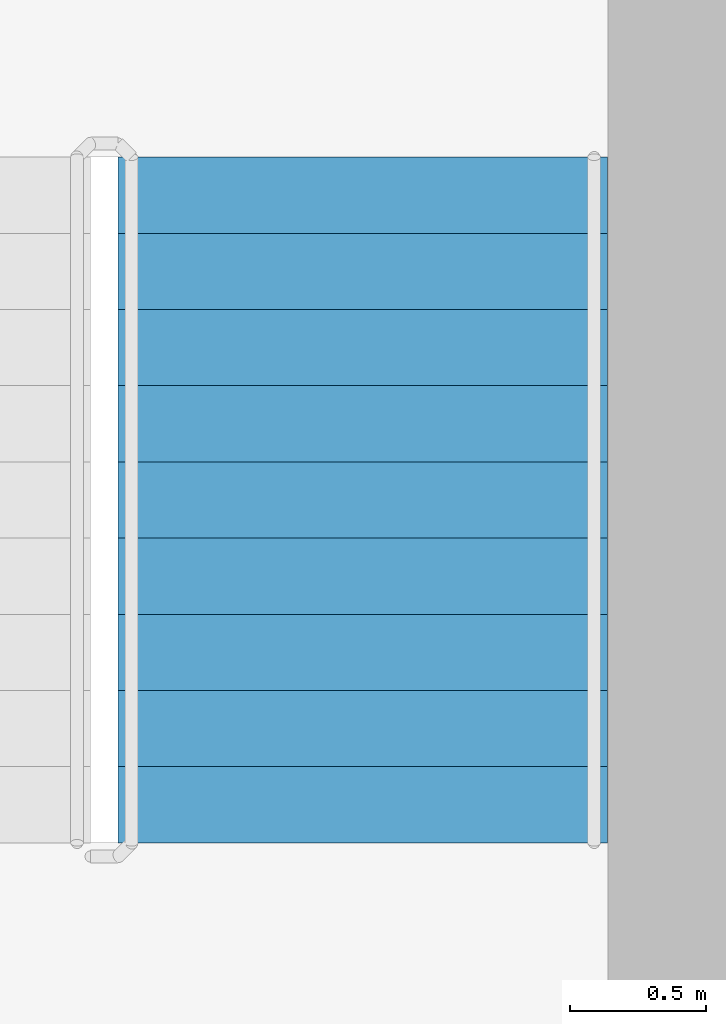
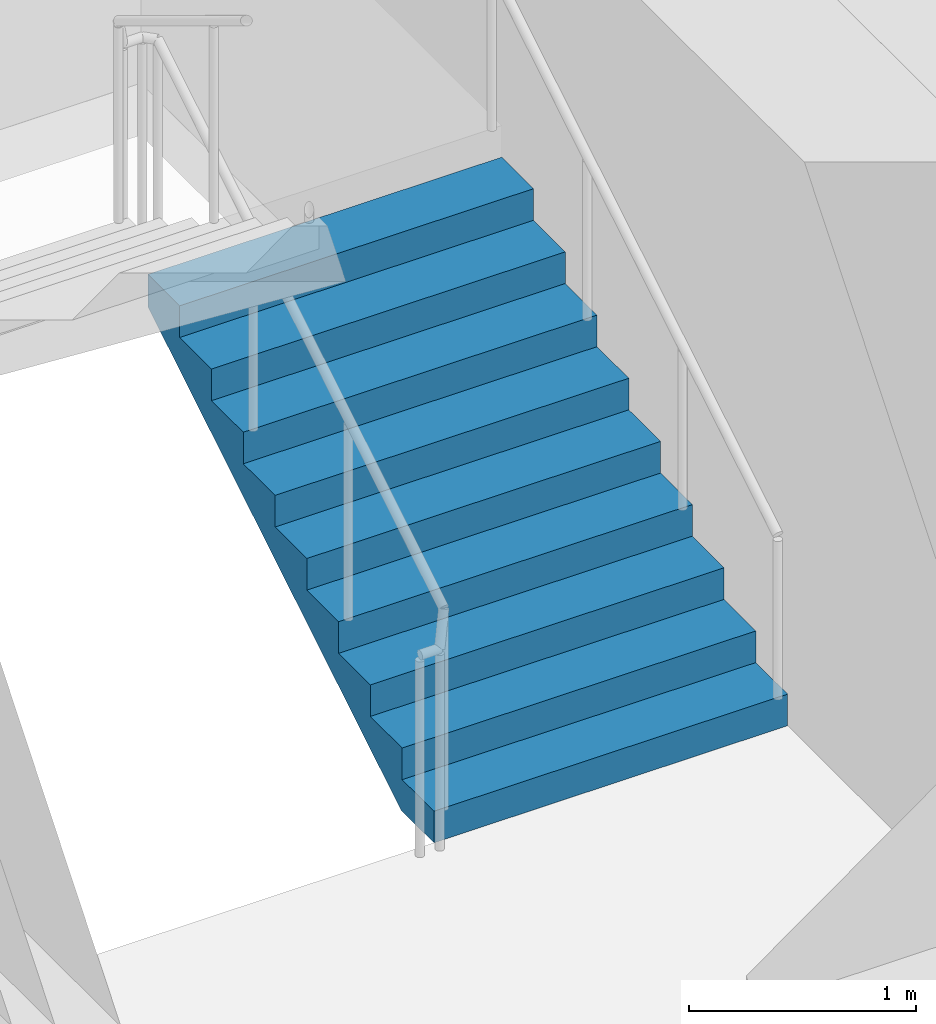
# One storey, part 11 of 18: 1 stair flight, 1 element without a shape of its own.
"""IFC4 building model written with IfcOpenShell, lengths in metres."""

from ifc_helpers import new_model, si_unit, direction, frame, origin, place, context, subcontext, project, spatial, triangles, source, transform, mapped, material, type_object, element, aggregate, save


model = new_model("IFC4")

# Units and contexts
model_context = context("Model", 3, precision=1e-05, world=origin(), true_north=direction((0.0, 1.0)))
body_context = subcontext(model_context, "Body", "Model", "MODEL_VIEW")
ifc_project = project(units=[si_unit("LENGTHUNIT", "METRE"), si_unit("AREAUNIT", "SQUARE_METRE"), si_unit("VOLUMEUNIT", "CUBIC_METRE"), si_unit("PLANEANGLEUNIT", "RADIAN"), si_unit("MASSUNIT", "GRAM", prefix="KILO")], contexts=[model_context])

# Site, building, storey
site_placement = place(None, origin())
site = spatial("IfcSite", under=ifc_project, at=site_placement, CompositionType="ELEMENT")
building_placement = place(site_placement, origin())
building = spatial("IfcBuilding", under=site, at=building_placement, Name="Kilnfold Tower and Market Hall", CompositionType="ELEMENT")
storey_placement = place(building_placement, frame((0.0, 0.0, 256.0)))
storey = spatial("IfcBuildingStorey", under=building, at=storey_placement, Name="L62", CompositionType="ELEMENT", Elevation=256.0)

# Stair, stair flight
ifc_material_1 = material(Name="Concrete C40/50", Category="concrete")
stair_type = type_object("IfcStairType", Name="CORE STAIR 1800", PredefinedType="HALF_TURN_STAIR", material=ifc_material_1)
stair_placement = place(storey_placement, origin())
stair = element("IfcStair", 1, at=stair_placement, inside=storey, type_object=stair_type, Name="L62 ST2", PredefinedType="HALF_TURN_STAIR")
ifc_material_2 = material(Name="Concrete C40/50", Category="concrete")
stair_flight_type = type_object("IfcStairFlightType", Name="CORE STAIR FLIGHT 1800", PredefinedType="STRAIGHT", material=ifc_material_2)
shared_shape = source(origin(), body_context, "Body", "Tessellation", [
    triangles([(0.0, 0.89990234375, 0.0), (0.0, 0.78759765625, 0.0), (0.0, 0.675048828125, 0.0), (0.0, 0.5625, 0.0), (0.0, 0.449951171875, 0.0), (0.0, 0.33740234375, 0.0), (0.0, 0.22509765625, 0.0), (0.0, 0.112548828125, 0.0), (0.0, 0.0, 0.0), (0.0, -0.112548828125, 0.0), (0.0, -0.22509765625, 0.0), (0.0, -0.33740234375, 0.0), (0.0, -0.449951171875, 0.0), (0.0, -0.5625, 0.0), (0.0, -0.675048828125, 0.0), (0.0, -0.78759765625, 0.0), (0.0, -0.89990234375, 0.0), (0.0, 0.89990234375, 0.169921875), (0.0, 0.78759765625, 0.169921875), (0.0, 0.675048828125, 0.169921875), (0.0, 0.5625, 0.169921875), (0.0, 0.449951171875, 0.169921875), (0.0, 0.33740234375, 0.169921875), (0.0, 0.22509765625, 0.169921875), (0.0, 0.112548828125, 0.169921875), (0.0, 0.0, 0.169921875), (0.0, -0.112548828125, 0.169921875), (0.0, -0.22509765625, 0.169921875), (0.0, -0.33740234375, 0.169921875), (0.0, -0.449951171875, 0.169921875), (0.0, -0.5625, 0.169921875), (0.0, -0.675048828125, 0.169921875), (0.0, -0.78759765625, 0.169921875), (0.0, -0.89990234375, 0.169921875), (0.280029296875, 0.89990234375, 0.169921875), (0.280029296875, 0.78759765625, 0.169921875), (0.280029296875, 0.675048828125, 0.169921875), (0.280029296875, 0.5625, 0.169921875), (0.280029296875, 0.449951171875, 0.169921875), (0.280029296875, 0.33740234375, 0.169921875), (0.280029296875, 0.22509765625, 0.169921875), (0.280029296875, 0.112548828125, 0.169921875), (0.280029296875, 0.0, 0.169921875), (0.280029296875, -0.112548828125, 0.169921875), (0.280029296875, -0.22509765625, 0.169921875), (0.280029296875, -0.33740234375, 0.169921875), (0.280029296875, -0.449951171875, 0.169921875), (0.280029296875, -0.5625, 0.169921875), (0.280029296875, -0.675048828125, 0.169921875), (0.280029296875, -0.78759765625, 0.169921875), (0.280029296875, -0.89990234375, 0.169921875), (0.280029296875, 0.89990234375, 0.340087890625), (0.280029296875, 0.78759765625, 0.340087890625), (0.280029296875, 0.675048828125, 0.340087890625), (0.280029296875, 0.5625, 0.340087890625), (0.280029296875, 0.449951171875, 0.340087890625), (0.280029296875, 0.33740234375, 0.340087890625), (0.280029296875, 0.22509765625, 0.340087890625), (0.280029296875, 0.112548828125, 0.340087890625), (0.280029296875, 0.0, 0.340087890625), (0.280029296875, -0.112548828125, 0.340087890625), (0.280029296875, -0.22509765625, 0.340087890625), (0.280029296875, -0.33740234375, 0.340087890625), (0.280029296875, -0.449951171875, 0.340087890625), (0.280029296875, -0.5625, 0.340087890625), (0.280029296875, -0.675048828125, 0.340087890625), (0.280029296875, -0.78759765625, 0.340087890625), (0.280029296875, -0.89990234375, 0.340087890625), (0.56005859375, 0.89990234375, 0.340087890625), (0.56005859375, 0.78759765625, 0.340087890625), (0.56005859375, 0.675048828125, 0.340087890625), (0.56005859375, 0.5625, 0.340087890625), (0.56005859375, 0.449951171875, 0.340087890625), (0.56005859375, 0.33740234375, 0.340087890625), (0.56005859375, 0.22509765625, 0.340087890625), (0.56005859375, 0.112548828125, 0.340087890625), (0.56005859375, 0.0, 0.340087890625), (0.56005859375, -0.112548828125, 0.340087890625), (0.56005859375, -0.22509765625, 0.340087890625), (0.56005859375, -0.33740234375, 0.340087890625), (0.56005859375, -0.449951171875, 0.340087890625), (0.56005859375, -0.5625, 0.340087890625), (0.56005859375, -0.675048828125, 0.340087890625), (0.56005859375, -0.78759765625, 0.340087890625), (0.56005859375, -0.89990234375, 0.340087890625), (0.56005859375, 0.89990234375, 0.510009765625), (0.56005859375, 0.78759765625, 0.510009765625), (0.56005859375, 0.675048828125, 0.510009765625), (0.56005859375, 0.5625, 0.510009765625), (0.56005859375, 0.449951171875, 0.510009765625), (0.56005859375, 0.33740234375, 0.510009765625), (0.56005859375, 0.22509765625, 0.510009765625), (0.56005859375, 0.112548828125, 0.510009765625), (0.56005859375, 0.0, 0.510009765625), (0.56005859375, -0.112548828125, 0.510009765625), (0.56005859375, -0.22509765625, 0.510009765625), (0.56005859375, -0.33740234375, 0.510009765625), (0.56005859375, -0.449951171875, 0.510009765625), (0.56005859375, -0.5625, 0.510009765625), (0.56005859375, -0.675048828125, 0.510009765625), (0.56005859375, -0.78759765625, 0.510009765625), (0.56005859375, -0.89990234375, 0.510009765625), (0.840087890625, 0.89990234375, 0.510009765625), (0.840087890625, 0.78759765625, 0.510009765625), (0.840087890625, 0.675048828125, 0.510009765625), (0.840087890625, 0.5625, 0.510009765625), (0.840087890625, 0.449951171875, 0.510009765625), (0.840087890625, 0.33740234375, 0.510009765625), (0.840087890625, 0.22509765625, 0.510009765625), (0.840087890625, 0.112548828125, 0.510009765625), (0.840087890625, 0.0, 0.510009765625), (0.840087890625, -0.112548828125, 0.510009765625), (0.840087890625, -0.22509765625, 0.510009765625), (0.840087890625, -0.33740234375, 0.510009765625), (0.840087890625, -0.449951171875, 0.510009765625), (0.840087890625, -0.5625, 0.510009765625), (0.840087890625, -0.675048828125, 0.510009765625), (0.840087890625, -0.78759765625, 0.510009765625), (0.840087890625, -0.89990234375, 0.510009765625), (0.840087890625, 0.89990234375, 0.679931640625), (0.840087890625, 0.78759765625, 0.679931640625), (0.840087890625, 0.675048828125, 0.679931640625), (0.840087890625, 0.5625, 0.679931640625), (0.840087890625, 0.449951171875, 0.679931640625), (0.840087890625, 0.33740234375, 0.679931640625), (0.840087890625, 0.22509765625, 0.679931640625), (0.840087890625, 0.112548828125, 0.679931640625), (0.840087890625, 0.0, 0.679931640625), (0.840087890625, -0.112548828125, 0.679931640625), (0.840087890625, -0.22509765625, 0.679931640625), (0.840087890625, -0.33740234375, 0.679931640625), (0.840087890625, -0.449951171875, 0.679931640625), (0.840087890625, -0.5625, 0.679931640625), (0.840087890625, -0.675048828125, 0.679931640625), (0.840087890625, -0.78759765625, 0.679931640625), (0.840087890625, -0.89990234375, 0.679931640625), (1.1201171875, 0.89990234375, 0.679931640625), (1.1201171875, 0.78759765625, 0.679931640625), (1.1201171875, 0.675048828125, 0.679931640625), (1.1201171875, 0.5625, 0.679931640625), (1.1201171875, 0.449951171875, 0.679931640625), (1.1201171875, 0.33740234375, 0.679931640625), (1.1201171875, 0.22509765625, 0.679931640625), (1.1201171875, 0.112548828125, 0.679931640625), (1.1201171875, 0.0, 0.679931640625), (1.1201171875, -0.112548828125, 0.679931640625), (1.1201171875, -0.22509765625, 0.679931640625), (1.1201171875, -0.33740234375, 0.679931640625), (1.1201171875, -0.449951171875, 0.679931640625), (1.1201171875, -0.5625, 0.679931640625), (1.1201171875, -0.675048828125, 0.679931640625), (1.1201171875, -0.78759765625, 0.679931640625), (1.1201171875, -0.89990234375, 0.679931640625), (1.1201171875, 0.89990234375, 0.85009765625), (1.1201171875, 0.78759765625, 0.85009765625), (1.1201171875, 0.675048828125, 0.85009765625), (1.1201171875, 0.5625, 0.85009765625), (1.1201171875, 0.449951171875, 0.85009765625), (1.1201171875, 0.33740234375, 0.85009765625), (1.1201171875, 0.22509765625, 0.85009765625), (1.1201171875, 0.112548828125, 0.85009765625), (1.1201171875, 0.0, 0.85009765625), (1.1201171875, -0.112548828125, 0.85009765625), (1.1201171875, -0.22509765625, 0.85009765625), (1.1201171875, -0.33740234375, 0.85009765625), (1.1201171875, -0.449951171875, 0.85009765625), (1.1201171875, -0.5625, 0.85009765625), (1.1201171875, -0.675048828125, 0.85009765625), (1.1201171875, -0.78759765625, 0.85009765625), (1.1201171875, -0.89990234375, 0.85009765625), (1.39990234375, 0.89990234375, 0.85009765625), (1.39990234375, 0.78759765625, 0.85009765625), (1.39990234375, 0.675048828125, 0.85009765625), (1.39990234375, 0.5625, 0.85009765625), (1.39990234375, 0.449951171875, 0.85009765625), (1.39990234375, 0.33740234375, 0.85009765625), (1.39990234375, 0.22509765625, 0.85009765625), (1.39990234375, 0.112548828125, 0.85009765625), (1.39990234375, 0.0, 0.85009765625), (1.39990234375, -0.112548828125, 0.85009765625), (1.39990234375, -0.22509765625, 0.85009765625), (1.39990234375, -0.33740234375, 0.85009765625), (1.39990234375, -0.449951171875, 0.85009765625), (1.39990234375, -0.5625, 0.85009765625), (1.39990234375, -0.675048828125, 0.85009765625), (1.39990234375, -0.78759765625, 0.85009765625), (1.39990234375, -0.89990234375, 0.85009765625), (1.39990234375, 0.89990234375, 1.02001953125), (1.39990234375, 0.78759765625, 1.02001953125), (1.39990234375, 0.675048828125, 1.02001953125), (1.39990234375, 0.5625, 1.02001953125), (1.39990234375, 0.449951171875, 1.02001953125), (1.39990234375, 0.33740234375, 1.02001953125), (1.39990234375, 0.22509765625, 1.02001953125), (1.39990234375, 0.112548828125, 1.02001953125), (1.39990234375, 0.0, 1.02001953125), (1.39990234375, -0.112548828125, 1.02001953125), (1.39990234375, -0.22509765625, 1.02001953125), (1.39990234375, -0.33740234375, 1.02001953125), (1.39990234375, -0.449951171875, 1.02001953125), (1.39990234375, -0.5625, 1.02001953125), (1.39990234375, -0.675048828125, 1.02001953125), (1.39990234375, -0.78759765625, 1.02001953125), (1.39990234375, -0.89990234375, 1.02001953125), (1.679931640625, 0.89990234375, 1.02001953125), (1.679931640625, 0.78759765625, 1.02001953125), (1.679931640625, 0.675048828125, 1.02001953125), (1.679931640625, 0.5625, 1.02001953125), (1.679931640625, 0.449951171875, 1.02001953125), (1.679931640625, 0.33740234375, 1.02001953125), (1.679931640625, 0.22509765625, 1.02001953125), (1.679931640625, 0.112548828125, 1.02001953125), (1.679931640625, 0.0, 1.02001953125), (1.679931640625, -0.112548828125, 1.02001953125), (1.679931640625, -0.22509765625, 1.02001953125), (1.679931640625, -0.33740234375, 1.02001953125), (1.679931640625, -0.449951171875, 1.02001953125), (1.679931640625, -0.5625, 1.02001953125), (1.679931640625, -0.675048828125, 1.02001953125), (1.679931640625, -0.78759765625, 1.02001953125), (1.679931640625, -0.89990234375, 1.02001953125), (1.679931640625, 0.89990234375, 1.18994140625), (1.679931640625, 0.78759765625, 1.18994140625), (1.679931640625, 0.675048828125, 1.18994140625), (1.679931640625, 0.5625, 1.18994140625), (1.679931640625, 0.449951171875, 1.18994140625), (1.679931640625, 0.33740234375, 1.18994140625), (1.679931640625, 0.22509765625, 1.18994140625), (1.679931640625, 0.112548828125, 1.18994140625), (1.679931640625, 0.0, 1.18994140625), (1.679931640625, -0.112548828125, 1.18994140625), (1.679931640625, -0.22509765625, 1.18994140625), (1.679931640625, -0.33740234375, 1.18994140625), (1.679931640625, -0.449951171875, 1.18994140625), (1.679931640625, -0.5625, 1.18994140625), (1.679931640625, -0.675048828125, 1.18994140625), (1.679931640625, -0.78759765625, 1.18994140625), (1.679931640625, -0.89990234375, 1.18994140625), (1.9599609375, 0.89990234375, 1.18994140625), (1.9599609375, 0.78759765625, 1.18994140625), (1.9599609375, 0.675048828125, 1.18994140625), (1.9599609375, 0.5625, 1.18994140625), (1.9599609375, 0.449951171875, 1.18994140625), (1.9599609375, 0.33740234375, 1.18994140625), (1.9599609375, 0.22509765625, 1.18994140625), (1.9599609375, 0.112548828125, 1.18994140625), (1.9599609375, 0.0, 1.18994140625), (1.9599609375, -0.112548828125, 1.18994140625), (1.9599609375, -0.22509765625, 1.18994140625), (1.9599609375, -0.33740234375, 1.18994140625), (1.9599609375, -0.449951171875, 1.18994140625), (1.9599609375, -0.5625, 1.18994140625), (1.9599609375, -0.675048828125, 1.18994140625), (1.9599609375, -0.78759765625, 1.18994140625), (1.9599609375, -0.89990234375, 1.18994140625), (1.9599609375, 0.89990234375, 1.360107421875), (1.9599609375, 0.78759765625, 1.360107421875), (1.9599609375, 0.675048828125, 1.360107421875), (1.9599609375, 0.5625, 1.360107421875), (1.9599609375, 0.449951171875, 1.360107421875), (1.9599609375, 0.33740234375, 1.360107421875), (1.9599609375, 0.22509765625, 1.360107421875), (1.9599609375, 0.112548828125, 1.360107421875), (1.9599609375, 0.0, 1.360107421875), (1.9599609375, -0.112548828125, 1.360107421875), (1.9599609375, -0.22509765625, 1.360107421875), (1.9599609375, -0.33740234375, 1.360107421875), (1.9599609375, -0.449951171875, 1.360107421875), (1.9599609375, -0.5625, 1.360107421875), (1.9599609375, -0.675048828125, 1.360107421875), (1.9599609375, -0.78759765625, 1.360107421875), (1.9599609375, -0.89990234375, 1.360107421875), (2.239990234375, 0.89990234375, 1.360107421875), (2.239990234375, 0.78759765625, 1.360107421875), (2.239990234375, 0.675048828125, 1.360107421875), (2.239990234375, 0.5625, 1.360107421875), (2.239990234375, 0.449951171875, 1.360107421875), (2.239990234375, 0.33740234375, 1.360107421875), (2.239990234375, 0.22509765625, 1.360107421875), (2.239990234375, 0.112548828125, 1.360107421875), (2.239990234375, 0.0, 1.360107421875), (2.239990234375, -0.112548828125, 1.360107421875), (2.239990234375, -0.22509765625, 1.360107421875), (2.239990234375, -0.33740234375, 1.360107421875), (2.239990234375, -0.449951171875, 1.360107421875), (2.239990234375, -0.5625, 1.360107421875), (2.239990234375, -0.675048828125, 1.360107421875), (2.239990234375, -0.78759765625, 1.360107421875), (2.239990234375, -0.89990234375, 1.360107421875), (2.239990234375, 0.89990234375, 1.530029296875), (2.239990234375, 0.78759765625, 1.530029296875), (2.239990234375, 0.675048828125, 1.530029296875), (2.239990234375, 0.5625, 1.530029296875), (2.239990234375, 0.449951171875, 1.530029296875), (2.239990234375, 0.33740234375, 1.530029296875), (2.239990234375, 0.22509765625, 1.530029296875), (2.239990234375, 0.112548828125, 1.530029296875), (2.239990234375, 0.0, 1.530029296875), (2.239990234375, -0.112548828125, 1.530029296875), (2.239990234375, -0.22509765625, 1.530029296875), (2.239990234375, -0.33740234375, 1.530029296875), (2.239990234375, -0.449951171875, 1.530029296875), (2.239990234375, -0.5625, 1.530029296875), (2.239990234375, -0.675048828125, 1.530029296875), (2.239990234375, -0.78759765625, 1.530029296875), (2.239990234375, -0.89990234375, 1.530029296875), (2.52001953125, 0.89990234375, 1.530029296875), (2.52001953125, 0.78759765625, 1.530029296875), (2.52001953125, 0.675048828125, 1.530029296875), (2.52001953125, 0.5625, 1.530029296875), (2.52001953125, 0.449951171875, 1.530029296875), (2.52001953125, 0.33740234375, 1.530029296875), (2.52001953125, 0.22509765625, 1.530029296875), (2.52001953125, 0.112548828125, 1.530029296875), (2.52001953125, 0.0, 1.530029296875), (2.52001953125, -0.112548828125, 1.530029296875), (2.52001953125, -0.22509765625, 1.530029296875), (2.52001953125, -0.33740234375, 1.530029296875), (2.52001953125, -0.449951171875, 1.530029296875), (2.52001953125, -0.5625, 1.530029296875), (2.52001953125, -0.675048828125, 1.530029296875), (2.52001953125, -0.78759765625, 1.530029296875), (2.52001953125, -0.89990234375, 1.530029296875), (2.52001953125, 0.89990234375, 1.354736328125), (2.52001953125, 0.78759765625, 1.354736328125), (2.52001953125, 0.675048828125, 1.354736328125), (2.52001953125, 0.5625, 1.354736328125), (2.52001953125, 0.449951171875, 1.354736328125), (2.52001953125, 0.33740234375, 1.354736328125), (2.52001953125, 0.22509765625, 1.354736328125), (2.52001953125, 0.112548828125, 1.354736328125), (2.52001953125, 0.0, 1.354736328125), (2.52001953125, -0.112548828125, 1.354736328125), (2.52001953125, -0.22509765625, 1.354736328125), (2.52001953125, -0.33740234375, 1.354736328125), (2.52001953125, -0.449951171875, 1.354736328125), (2.52001953125, -0.5625, 1.354736328125), (2.52001953125, -0.675048828125, 1.354736328125), (2.52001953125, -0.78759765625, 1.354736328125), (2.52001953125, -0.89990234375, 1.354736328125), (0.288818359375, 0.89990234375, 0.0), (0.288818359375, 0.78759765625, 0.0), (0.288818359375, 0.675048828125, 0.0), (0.288818359375, 0.5625, 0.0), (0.288818359375, 0.449951171875, 0.0), (0.288818359375, 0.33740234375, 0.0), (0.288818359375, 0.22509765625, 0.0), (0.288818359375, 0.112548828125, 0.0), (0.288818359375, 0.0, 0.0), (0.288818359375, -0.112548828125, 0.0), (0.288818359375, -0.22509765625, 0.0), (0.288818359375, -0.33740234375, 0.0), (0.288818359375, -0.449951171875, 0.0), (0.288818359375, -0.5625, 0.0), (0.288818359375, -0.675048828125, 0.0), (0.288818359375, -0.78759765625, 0.0), (0.288818359375, -0.89990234375, 0.0)], [[1, 324, 341], [17, 357, 340], [324, 290, 307], [340, 323, 306], [324, 273, 290], [340, 306, 289], [324, 256, 273], [340, 289, 272], [324, 239, 256], [340, 272, 255], [239, 205, 222], [255, 238, 221], [324, 205, 239], [340, 255, 221], [205, 171, 188], [221, 204, 187], [324, 171, 205], [340, 221, 187], [171, 137, 154], [187, 170, 153], [324, 137, 171], [340, 187, 153], [137, 103, 120], [153, 136, 119], [324, 103, 137], [340, 153, 119], [103, 69, 86], [119, 102, 85], [324, 69, 103], [340, 119, 85], [69, 35, 52], [85, 68, 51], [324, 35, 69], [340, 85, 51], [1, 35, 324], [17, 340, 51], [35, 1, 18], [51, 34, 17], [1, 19, 18], [1, 2, 19], [2, 20, 19], [2, 3, 20], [3, 21, 20], [3, 4, 21], [4, 22, 21], [4, 5, 22], [5, 23, 22], [5, 6, 23], [6, 24, 23], [6, 7, 24], [7, 25, 24], [7, 8, 25], [8, 26, 25], [8, 9, 26], [9, 27, 26], [9, 10, 27], [10, 28, 27], [10, 11, 28], [11, 29, 28], [11, 12, 29], [12, 30, 29], [12, 13, 30], [13, 31, 30], [13, 14, 31], [14, 32, 31], [14, 15, 32], [15, 33, 32], [15, 16, 33], [16, 34, 33], [16, 17, 34], [18, 36, 35], [18, 19, 36], [19, 37, 36], [19, 20, 37], [20, 38, 37], [20, 21, 38], [21, 39, 38], [21, 22, 39], [22, 40, 39], [22, 23, 40], [23, 41, 40], [23, 24, 41], [24, 42, 41], [24, 25, 42], [25, 43, 42], [25, 26, 43], [26, 44, 43], [26, 27, 44], [27, 45, 44], [27, 28, 45], [28, 46, 45], [28, 29, 46], [29, 47, 46], [29, 30, 47], [30, 48, 47], [30, 31, 48], [31, 49, 48], [31, 32, 49], [32, 50, 49], [32, 33, 50], [33, 51, 50], [33, 34, 51], [35, 53, 52], [35, 36, 53], [36, 54, 53], [36, 37, 54], [37, 55, 54], [37, 38, 55], [38, 56, 55], [38, 39, 56], [39, 57, 56], [39, 40, 57], [40, 58, 57], [40, 41, 58], [41, 59, 58], [41, 42, 59], [42, 60, 59], [42, 43, 60], [43, 61, 60], [43, 44, 61], [44, 62, 61], [44, 45, 62], [45, 63, 62], [45, 46, 63], [46, 64, 63], [46, 47, 64], [47, 65, 64], [47, 48, 65], [48, 66, 65], [48, 49, 66], [49, 67, 66], [49, 50, 67], [50, 68, 67], [50, 51, 68], [52, 70, 69], [52, 53, 70], [53, 71, 70], [53, 54, 71], [54, 72, 71], [54, 55, 72], [55, 73, 72], [55, 56, 73], [56, 74, 73], [56, 57, 74], [57, 75, 74], [57, 58, 75], [58, 76, 75], [58, 59, 76], [59, 77, 76], [59, 60, 77], [60, 78, 77], [60, 61, 78], [61, 79, 78], [61, 62, 79], [62, 80, 79], [62, 63, 80], [63, 81, 80], [63, 64, 81], [64, 82, 81], [64, 65, 82], [65, 83, 82], [65, 66, 83], [66, 84, 83], [66, 67, 84], [67, 85, 84], [67, 68, 85], [69, 87, 86], [69, 70, 87], [70, 88, 87], [70, 71, 88], [71, 89, 88], [71, 72, 89], [72, 90, 89], [72, 73, 90], [73, 91, 90], [73, 74, 91], [74, 92, 91], [74, 75, 92], [75, 93, 92], [75, 76, 93], [76, 94, 93], [76, 77, 94], [77, 95, 94], [77, 78, 95], [78, 96, 95], [78, 79, 96], [79, 97, 96], [79, 80, 97], [80, 98, 97], [80, 81, 98], [81, 99, 98], [81, 82, 99], [82, 100, 99], [82, 83, 100], [83, 101, 100], [83, 84, 101], [84, 102, 101], [84, 85, 102], [86, 104, 103], [86, 87, 104], [87, 105, 104], [87, 88, 105], [88, 106, 105], [88, 89, 106], [89, 107, 106], [89, 90, 107], [90, 108, 107], [90, 91, 108], [91, 109, 108], [91, 92, 109], [92, 110, 109], [92, 93, 110], [93, 111, 110], [93, 94, 111], [94, 112, 111], [94, 95, 112], [95, 113, 112], [95, 96, 113], [96, 114, 113], [96, 97, 114], [97, 115, 114], [97, 98, 115], [98, 116, 115], [98, 99, 116], [99, 117, 116], [99, 100, 117], [100, 118, 117], [100, 101, 118], [101, 119, 118], [101, 102, 119], [103, 121, 120], [103, 104, 121], [104, 122, 121], [104, 105, 122], [105, 123, 122], [105, 106, 123], [106, 124, 123], [106, 107, 124], [107, 125, 124], [107, 108, 125], [108, 126, 125], [108, 109, 126], [109, 127, 126], [109, 110, 127], [110, 128, 127], [110, 111, 128], [111, 129, 128], [111, 112, 129], [112, 130, 129], [112, 113, 130], [113, 131, 130], [113, 114, 131], [114, 132, 131], [114, 115, 132], [115, 133, 132], [115, 116, 133], [116, 134, 133], [116, 117, 134], [117, 135, 134], [117, 118, 135], [118, 136, 135], [118, 119, 136], [120, 138, 137], [120, 121, 138], [121, 139, 138], [121, 122, 139], [122, 140, 139], [122, 123, 140], [123, 141, 140], [123, 124, 141], [124, 142, 141], [124, 125, 142], [125, 143, 142], [125, 126, 143], [126, 144, 143], [126, 127, 144], [127, 145, 144], [127, 128, 145], [128, 146, 145], [128, 129, 146], [129, 147, 146], [129, 130, 147], [130, 148, 147], [130, 131, 148], [131, 149, 148], [131, 132, 149], [132, 150, 149], [132, 133, 150], [133, 151, 150], [133, 134, 151], [134, 152, 151], [134, 135, 152], [135, 153, 152], [135, 136, 153], [137, 155, 154], [137, 138, 155], [138, 156, 155], [138, 139, 156], [139, 157, 156], [139, 140, 157], [140, 158, 157], [140, 141, 158], [141, 159, 158], [141, 142, 159], [142, 160, 159], [142, 143, 160], [143, 161, 160], [143, 144, 161], [144, 162, 161], [144, 145, 162], [145, 163, 162], [145, 146, 163], [146, 164, 163], [146, 147, 164], [147, 165, 164], [147, 148, 165], [148, 166, 165], [148, 149, 166], [149, 167, 166], [149, 150, 167], [150, 168, 167], [150, 151, 168], [151, 169, 168], [151, 152, 169], [152, 170, 169], [152, 153, 170], [154, 172, 171], [154, 155, 172], [155, 173, 172], [155, 156, 173], [156, 174, 173], [156, 157, 174], [157, 175, 174], [157, 158, 175], [158, 176, 175], [158, 159, 176], [159, 177, 176], [159, 160, 177], [160, 178, 177], [160, 161, 178], [161, 179, 178], [161, 162, 179], [162, 180, 179], [162, 163, 180], [163, 181, 180], [163, 164, 181], [164, 182, 181], [164, 165, 182], [165, 183, 182], [165, 166, 183], [166, 184, 183], [166, 167, 184], [167, 185, 184], [167, 168, 185], [168, 186, 185], [168, 169, 186], [169, 187, 186], [169, 170, 187], [171, 189, 188], [171, 172, 189], [172, 190, 189], [172, 173, 190], [173, 191, 190], [173, 174, 191], [174, 192, 191], [174, 175, 192], [175, 193, 192], [175, 176, 193], [176, 194, 193], [176, 177, 194], [177, 195, 194], [177, 178, 195], [178, 196, 195], [178, 179, 196], [179, 197, 196], [179, 180, 197], [180, 198, 197], [180, 181, 198], [181, 199, 198], [181, 182, 199], [182, 200, 199], [182, 183, 200], [183, 201, 200], [183, 184, 201], [184, 202, 201], [184, 185, 202], [185, 203, 202], [185, 186, 203], [186, 204, 203], [186, 187, 204], [188, 206, 205], [188, 189, 206], [189, 207, 206], [189, 190, 207], [190, 208, 207], [190, 191, 208], [191, 209, 208], [191, 192, 209], [192, 210, 209], [192, 193, 210], [193, 211, 210], [193, 194, 211], [194, 212, 211], [194, 195, 212], [195, 213, 212], [195, 196, 213], [196, 214, 213], [196, 197, 214], [197, 215, 214], [197, 198, 215], [198, 216, 215], [198, 199, 216], [199, 217, 216], [199, 200, 217], [200, 218, 217], [200, 201, 218], [201, 219, 218], [201, 202, 219], [202, 220, 219], [202, 203, 220], [203, 221, 220], [203, 204, 221], [205, 223, 222], [205, 206, 223], [206, 224, 223], [206, 207, 224], [207, 225, 224], [207, 208, 225], [208, 226, 225], [208, 209, 226], [209, 227, 226], [209, 210, 227], [210, 228, 227], [210, 211, 228], [211, 229, 228], [211, 212, 229], [212, 230, 229], [212, 213, 230], [213, 231, 230], [213, 214, 231], [214, 232, 231], [214, 215, 232], [215, 233, 232], [215, 216, 233], [216, 234, 233], [216, 217, 234], [217, 235, 234], [217, 218, 235], [218, 236, 235], [218, 219, 236], [219, 237, 236], [219, 220, 237], [220, 238, 237], [220, 221, 238], [222, 240, 239], [222, 223, 240], [223, 241, 240], [223, 224, 241], [224, 242, 241], [224, 225, 242], [225, 243, 242], [225, 226, 243], [226, 244, 243], [226, 227, 244], [227, 245, 244], [227, 228, 245], [228, 246, 245], [228, 229, 246], [229, 247, 246], [229, 230, 247], [230, 248, 247], [230, 231, 248], [231, 249, 248], [231, 232, 249], [232, 250, 249], [232, 233, 250], [233, 251, 250], [233, 234, 251], [234, 252, 251], [234, 235, 252], [235, 253, 252], [235, 236, 253], [236, 254, 253], [236, 237, 254], [237, 255, 254], [237, 238, 255], [239, 257, 256], [239, 240, 257], [240, 258, 257], [240, 241, 258], [241, 259, 258], [241, 242, 259], [242, 260, 259], [242, 243, 260], [243, 261, 260], [243, 244, 261], [244, 262, 261], [244, 245, 262], [245, 263, 262], [245, 246, 263], [246, 264, 263], [246, 247, 264], [247, 265, 264], [247, 248, 265], [248, 266, 265], [248, 249, 266], [249, 267, 266], [249, 250, 267], [250, 268, 267], [250, 251, 268], [251, 269, 268], [251, 252, 269], [252, 270, 269], [252, 253, 270], [253, 271, 270], [253, 254, 271], [254, 272, 271], [254, 255, 272], [256, 274, 273], [256, 257, 274], [257, 275, 274], [257, 258, 275], [258, 276, 275], [258, 259, 276], [259, 277, 276], [259, 260, 277], [260, 278, 277], [260, 261, 278], [261, 279, 278], [261, 262, 279], [262, 280, 279], [262, 263, 280], [263, 281, 280], [263, 264, 281], [264, 282, 281], [264, 265, 282], [265, 283, 282], [265, 266, 283], [266, 284, 283], [266, 267, 284], [267, 285, 284], [267, 268, 285], [268, 286, 285], [268, 269, 286], [269, 287, 286], [269, 270, 287], [270, 288, 287], [270, 271, 288], [271, 289, 288], [271, 272, 289], [273, 291, 290], [273, 274, 291], [274, 292, 291], [274, 275, 292], [275, 293, 292], [275, 276, 293], [276, 294, 293], [276, 277, 294], [277, 295, 294], [277, 278, 295], [278, 296, 295], [278, 279, 296], [279, 297, 296], [279, 280, 297], [280, 298, 297], [280, 281, 298], [281, 299, 298], [281, 282, 299], [282, 300, 299], [282, 283, 300], [283, 301, 300], [283, 284, 301], [284, 302, 301], [284, 285, 302], [285, 303, 302], [285, 286, 303], [286, 304, 303], [286, 287, 304], [287, 305, 304], [287, 288, 305], [288, 306, 305], [288, 289, 306], [290, 308, 307], [290, 291, 308], [291, 309, 308], [291, 292, 309], [292, 310, 309], [292, 293, 310], [293, 311, 310], [293, 294, 311], [294, 312, 311], [294, 295, 312], [295, 313, 312], [295, 296, 313], [296, 314, 313], [296, 297, 314], [297, 315, 314], [297, 298, 315], [298, 316, 315], [298, 299, 316], [299, 317, 316], [299, 300, 317], [300, 318, 317], [300, 301, 318], [301, 319, 318], [301, 302, 319], [302, 320, 319], [302, 303, 320], [303, 321, 320], [303, 304, 321], [304, 322, 321], [304, 305, 322], [305, 323, 322], [305, 306, 323], [307, 325, 324], [307, 308, 325], [308, 326, 325], [308, 309, 326], [309, 327, 326], [309, 310, 327], [310, 328, 327], [310, 311, 328], [311, 329, 328], [311, 312, 329], [312, 330, 329], [312, 313, 330], [313, 331, 330], [313, 314, 331], [314, 332, 331], [314, 315, 332], [315, 333, 332], [315, 316, 333], [316, 334, 333], [316, 317, 334], [317, 335, 334], [317, 318, 335], [318, 336, 335], [318, 319, 336], [319, 337, 336], [319, 320, 337], [320, 338, 337], [320, 321, 338], [321, 339, 338], [321, 322, 339], [322, 340, 339], [322, 323, 340], [324, 342, 341], [324, 325, 342], [325, 343, 342], [325, 326, 343], [326, 344, 343], [326, 327, 344], [327, 345, 344], [327, 328, 345], [328, 346, 345], [328, 329, 346], [329, 347, 346], [329, 330, 347], [330, 348, 347], [330, 331, 348], [331, 349, 348], [331, 332, 349], [332, 350, 349], [332, 333, 350], [333, 351, 350], [333, 334, 351], [334, 352, 351], [334, 335, 352], [335, 353, 352], [335, 336, 353], [336, 354, 353], [336, 337, 354], [337, 355, 354], [337, 338, 355], [338, 356, 355], [338, 339, 356], [339, 357, 356], [339, 340, 357], [341, 2, 1], [341, 342, 2], [342, 3, 2], [342, 343, 3], [343, 4, 3], [343, 344, 4], [344, 5, 4], [344, 345, 5], [345, 6, 5], [345, 346, 6], [346, 7, 6], [346, 347, 7], [347, 8, 7], [347, 348, 8], [348, 9, 8], [348, 349, 9], [349, 10, 9], [349, 350, 10], [350, 11, 10], [350, 351, 11], [351, 12, 11], [351, 352, 12], [352, 13, 12], [352, 353, 13], [353, 14, 13], [353, 354, 14], [354, 15, 14], [354, 355, 15], [355, 16, 15], [355, 356, 16], [356, 17, 16], [356, 357, 17]], closed=True),
])
stair_flight_placement = place(storey_placement, frame((16.199951171875, 10.800048828125, 0.0), z_axis=(0.0, 0.0, 1.0), x_axis=(0.0, 1.0, 0.0)))
stair_flight = element("IfcStairFlight", 2, at=stair_flight_placement, type_object=stair_flight_type, Name="ST2 flight 1", NumberOfRisers=10, NumberOfTreads=9, PredefinedType="STRAIGHT", RiserHeight=0.17, TreadLength=0.28, context=body_context, shape_type="MappedRepresentation", body=[
    mapped(shared_shape, transform((0.0, 0.0, 0.0))),
])
aggregate(stair, [stair_flight])

save(model, "model.ifc")
